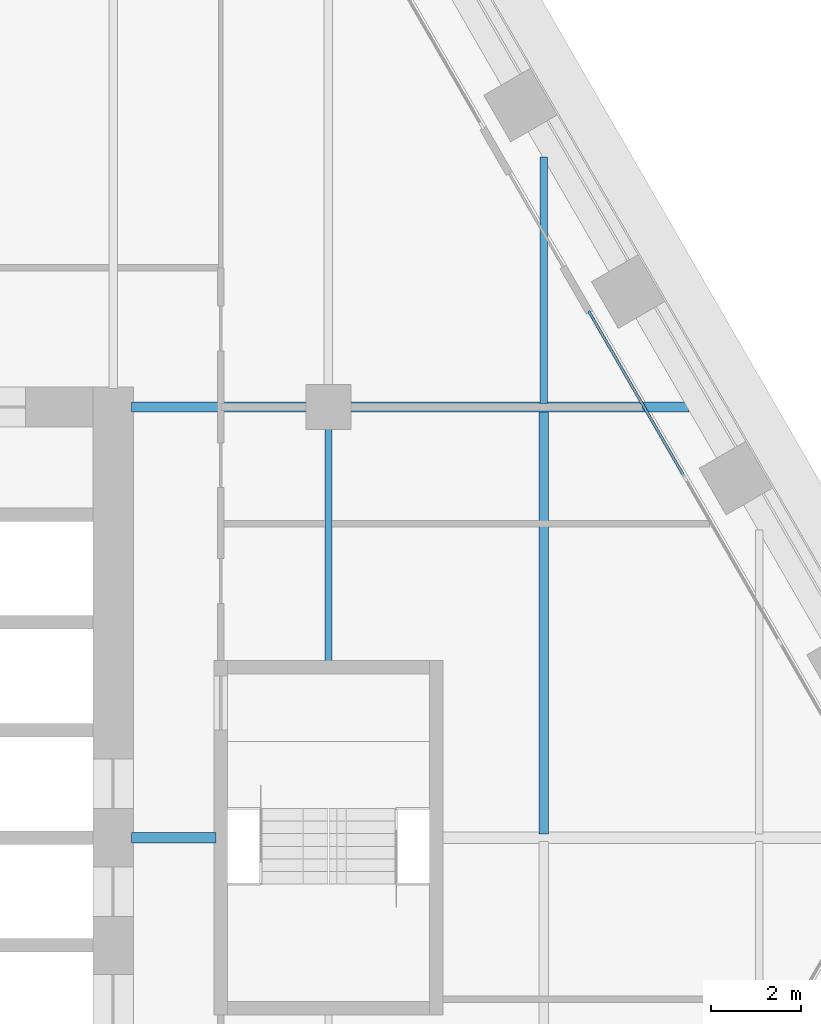
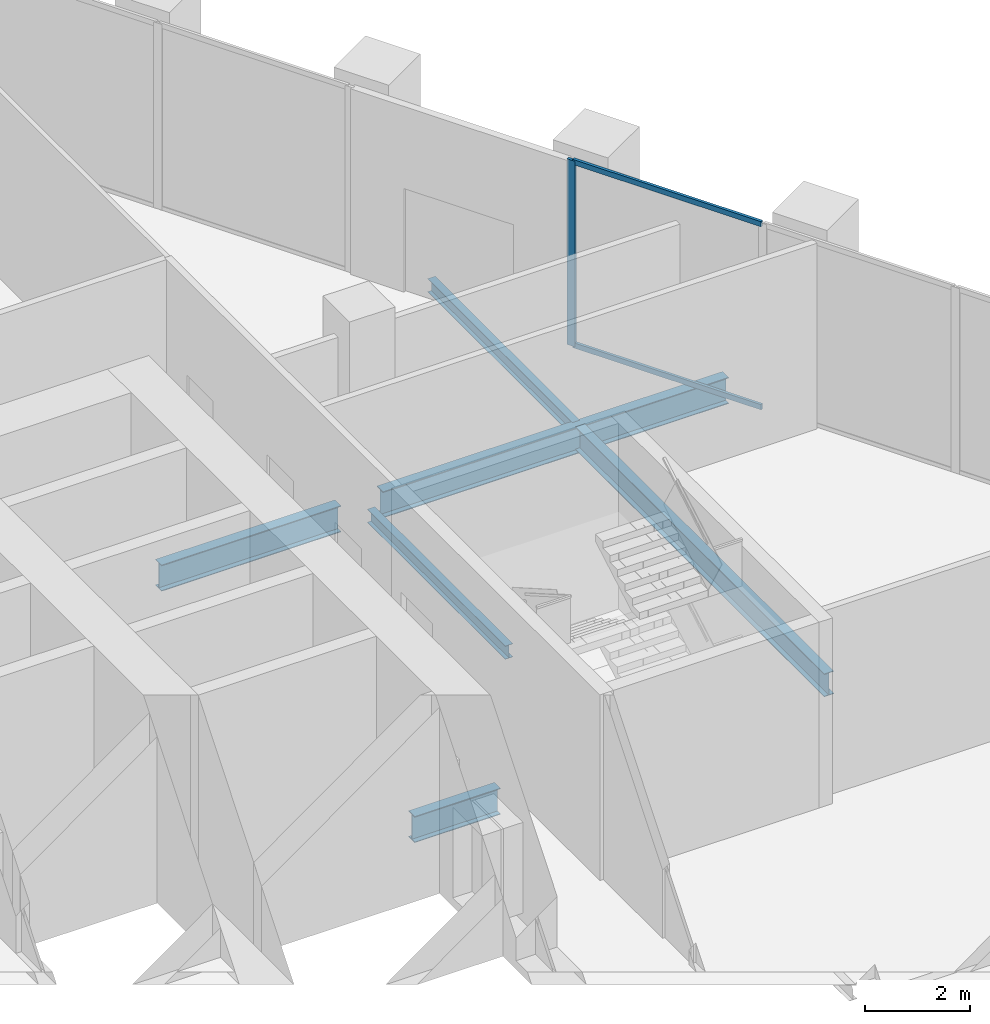
# One storey, part 9 of 27: 6 beams, 3 members, 1 element without a shape of its own.
"""IFC4 building model written with IfcOpenShell, lengths in metres."""

from ifc_helpers import new_model, si_unit, direction, frame, origin, origin_2d, place, context, subcontext, project, spatial, rectangle, i_section, extrude, material, material_profile, profile_set, type_object, element, aggregate, save


model = new_model("IFC4")

# Units and contexts
model_context = context("Model", 3, precision=1e-05, world=origin(), true_north=direction((0.0, 1.0)))
body_context = subcontext(model_context, "Body", "Model", "MODEL_VIEW")
ifc_project = project(units=[si_unit("LENGTHUNIT", "METRE"), si_unit("AREAUNIT", "SQUARE_METRE"), si_unit("VOLUMEUNIT", "CUBIC_METRE"), si_unit("PLANEANGLEUNIT", "RADIAN"), si_unit("MASSUNIT", "GRAM", prefix="KILO")], contexts=[model_context])

# Site, building, storey
site_placement = place(None, origin())
site = spatial("IfcSite", under=ifc_project, at=site_placement, CompositionType="ELEMENT")
building_placement = place(site_placement, origin())
building = spatial("IfcBuilding", under=site, at=building_placement, Name="Kolab Exchange Tower", CompositionType="ELEMENT")
storey_placement = place(building_placement, frame((0.0, 0.0, 109.39990234375)))
storey = spatial("IfcBuildingStorey", under=building, at=storey_placement, Name="L21", CompositionType="ELEMENT", Elevation=109.39990234375)

# Beams
ifc_material_1 = material(Name="Steel S355", Category="steel")
ifc_material_profile_1 = material_profile(ifc_material_1, i_section(OverallWidth=0.1650390625, OverallDepth=0.31005859375, WebThickness=0.005859375, FlangeThickness=0.009765625, at=origin_2d()), Name="W310X39")
ifc_profile_set_1 = profile_set([ifc_material_profile_1], Name="Steel S355")
beam_type_1 = type_object("IfcBeamType", Name="FLOOR BEAM W310X39", PredefinedType="BEAM", material=ifc_profile_set_1)
beam_1_placement = place(storey_placement, frame((19.199951171875, 3.909912109375, -0.35498046875), z_axis=(0.0, 1.0, 0.0), x_axis=(-1.0, 0.0, 0.0)))
element("IfcBeam", 1, at=beam_1_placement, inside=storey, type_object=beam_type_1, Name="beam/L21/fr/043", PredefinedType="BEAM", context=body_context, shape_type="SweptSolid", body=[
    extrude(i_section(OverallWidth=0.1650390625, OverallDepth=0.31005859375, WebThickness=0.005859375, FlangeThickness=0.009765625, at=origin_2d()), origin(), (0.0, 0.0, 1.0), 5.22998046875),
])
beam_2_placement = place(storey_placement, frame((24.0, 9.674072265625, -0.35498046875), z_axis=(0.0, 1.0, 0.0), x_axis=(-1.0, 0.0, 0.0)))
element("IfcBeam", 2, at=beam_2_placement, inside=storey, type_object=beam_type_1, Name="beam/L21/fr/049", PredefinedType="BEAM", context=body_context, shape_type="SweptSolid", body=[
    extrude(i_section(OverallWidth=0.1650390625, OverallDepth=0.31005859375, WebThickness=0.005859375, FlangeThickness=0.009765625, at=origin_2d()), origin(), (0.0, 0.0, 1.0), 5.49365234375),
])
ifc_material_profile_2 = material_profile(ifc_material_1, i_section(OverallWidth=0.208984375, OverallDepth=0.532958984375, WebThickness=0.01025390625, FlangeThickness=0.015625, at=origin_2d()), Name="W530X92")
ifc_profile_set_2 = profile_set([ifc_material_profile_2], Name="Steel S355")
beam_type_2 = type_object("IfcBeamType", Name="FLOOR BEAM W530X92", PredefinedType="BEAM", material=ifc_profile_set_2)
beam_3_placement = place(storey_placement, frame((24.0, 0.0869140625, -0.46630859375), z_axis=(0.0, 1.0, 0.0), x_axis=(-1.0, 0.0, 0.0)))
element("IfcBeam", 3, at=beam_3_placement, inside=storey, type_object=beam_type_2, Name="beam/L21/fr/048", PredefinedType="BEAM", context=body_context, shape_type="SweptSolid", body=[
    extrude(i_section(OverallWidth=0.208984375, OverallDepth=0.532958984375, WebThickness=0.01025390625, FlangeThickness=0.015625, at=origin_2d()), origin(), (0.0, 0.0, 1.0), 9.43896484375),
])
ifc_material_profile_3 = material_profile(ifc_material_1, i_section(OverallWidth=0.22802734375, OverallDepth=0.60791015625, WebThickness=0.01123046875, FlangeThickness=0.017333984375, at=origin_2d()), Name="W610X113")
ifc_profile_set_3 = profile_set([ifc_material_profile_3], Name="Steel S355")
beam_type_3 = type_object("IfcBeamType", Name="FLOOR GIRDER W610X113", PredefinedType="BEAM", material=ifc_profile_set_3)
beam_4_placement = place(storey_placement, frame((14.81005859375, 0.0, -0.50390625), z_axis=(1.0, 0.0, 0.0), x_axis=(0.0, 1.0, 0.0)))
element("IfcBeam", 4, at=beam_4_placement, inside=storey, type_object=beam_type_3, Name="beam/L21/gd/015", PredefinedType="BEAM", context=body_context, shape_type="SweptSolid", body=[
    extrude(i_section(OverallWidth=0.22802734375, OverallDepth=0.60791015625, WebThickness=0.01123046875, FlangeThickness=0.017333984375, at=origin_2d()), origin(), (0.0, 0.0, 1.0), 1.8798828125),
])
beam_5_placement = place(storey_placement, frame((14.81005859375, 9.60009765625, -0.50390625), z_axis=(1.0, 0.0, 0.0), x_axis=(0.0, 1.0, 0.0)))
element("IfcBeam", 5, at=beam_5_placement, inside=storey, type_object=beam_type_3, Name="beam/L21/gd/016", PredefinedType="BEAM", context=body_context, shape_type="SweptSolid", body=[
    extrude(i_section(OverallWidth=0.22802734375, OverallDepth=0.60791015625, WebThickness=0.01123046875, FlangeThickness=0.017333984375, at=origin_2d()), origin(), (0.0, 0.0, 1.0), 3.929931640625),
])
beam_6_placement = place(storey_placement, frame((19.659912109375, 9.60009765625, -0.50390625), z_axis=(1.0, 0.0, 0.0), x_axis=(0.0, 1.0, 0.0)))
element("IfcBeam", 6, at=beam_6_placement, inside=storey, type_object=beam_type_3, Name="beam/L21/gd/018", PredefinedType="BEAM", context=body_context, shape_type="SweptSolid", body=[
    extrude(i_section(OverallWidth=0.22802734375, OverallDepth=0.60791015625, WebThickness=0.01123046875, FlangeThickness=0.017333984375, at=origin_2d()), origin(), (0.0, 0.0, 1.0), 7.571533203125),
])

# Curtain wall, members
ifc_material_2 = material(Name="Aluminium EN AW-6063 T6", Category="aluminium")
curtain_wall_type = type_object("IfcCurtainWallType", Name="UNITISED LOWER MID ZONE CURTAIN WALL", PredefinedType="NOTDEFINED", material=ifc_material_2)
curtain_wall_placement = place(storey_placement, origin())
curtain_wall = element("IfcCurtainWall", 7, at=curtain_wall_placement, inside=storey, type_object=curtain_wall_type, Name="cw/L21/F2-2", PredefinedType="NOTDEFINED")
ifc_material_profile_4 = material_profile(ifc_material_2, rectangle(XDim=0.06005859375, YDim=0.179931640625, at=origin_2d()), Name="RECT 60X180")
ifc_profile_set_4 = profile_set([ifc_material_profile_4], Name="Aluminium EN AW-6063 T6")
member_type_1 = type_object("IfcMemberType", Name="UNITISED LOWER MID ZONE MULLION 60 X 180", PredefinedType="MULLION", material=ifc_profile_set_4)
member_1_placement = place(storey_placement, frame((25.046630859375, 11.65478515625, 0.0), z_axis=(0.0, 0.0, 1.0), x_axis=(0.866025427826, 0.499999958358, 0.0)))
member_1 = element("IfcMember", 8, at=member_1_placement, type_object=member_type_1, Name="CW2 mullion 1", PredefinedType="MULLION", context=body_context, shape_type="SweptSolid", body=[
    extrude(rectangle(XDim=0.06005859375, YDim=0.179931640625, at=origin_2d()), origin(), (0.0, 0.0, 1.0), 4.300048828125),
])
ifc_material_profile_5 = material_profile(ifc_material_2, rectangle(XDim=0.06005859375, YDim=0.1201171875, at=origin_2d()), Name="RECT 60X120")
ifc_profile_set_5 = profile_set([ifc_material_profile_5], Name="Aluminium EN AW-6063 T6")
member_type_2 = type_object("IfcMemberType", Name="UNITISED LOWER MID ZONE TRANSOM 60 X 120", PredefinedType="USERDEFINED", material=ifc_profile_set_5)
member_2_placement = place(storey_placement, frame((25.061767578125, 11.62890625, 0.030029296875), z_axis=(0.499957688808, -0.866049830784, 0.0), x_axis=(0.866049830784, 0.499957688808, 0.0)))
member_2 = element("IfcMember", 9, at=member_2_placement, type_object=member_type_2, Name="CW2 transom 1.1", ObjectType="TRANSOM", PredefinedType="USERDEFINED", context=body_context, shape_type="SweptSolid", body=[
    extrude(rectangle(XDim=0.06005859375, YDim=0.1201171875, at=origin_2d()), origin(), (0.0, 0.0, 1.0), 4.132568359375),
])
member_3_placement = place(storey_placement, frame((25.061767578125, 11.62890625, 4.27001953125), z_axis=(0.499957688808, -0.866049830784, 0.0), x_axis=(0.866049830784, 0.499957688808, 0.0)))
member_3 = element("IfcMember", 10, at=member_3_placement, type_object=member_type_2, Name="CW2 transom 1.2", ObjectType="TRANSOM", PredefinedType="USERDEFINED", context=body_context, shape_type="SweptSolid", body=[
    extrude(rectangle(XDim=0.06005859375, YDim=0.1201171875, at=origin_2d()), origin(), (0.0, 0.0, 1.0), 4.132568359375),
])
aggregate(curtain_wall, [member_1, member_2, member_3])

save(model, "model.ifc")
